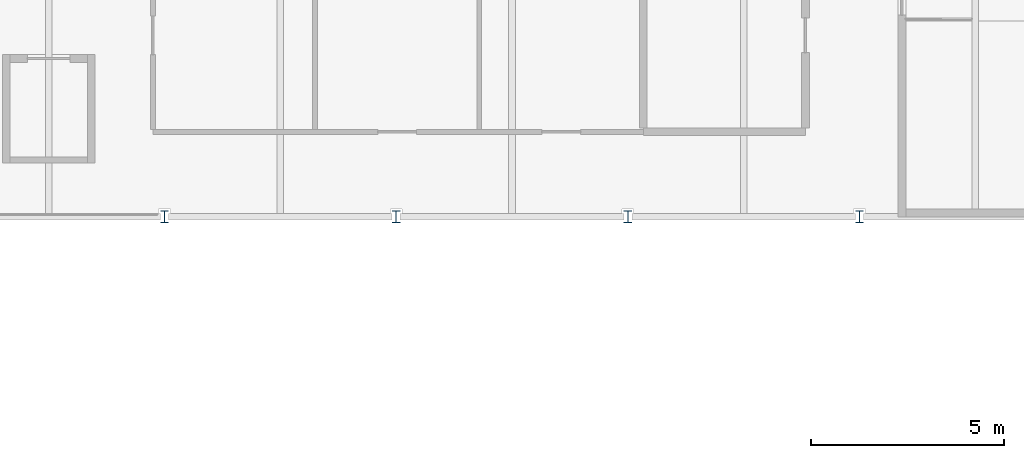
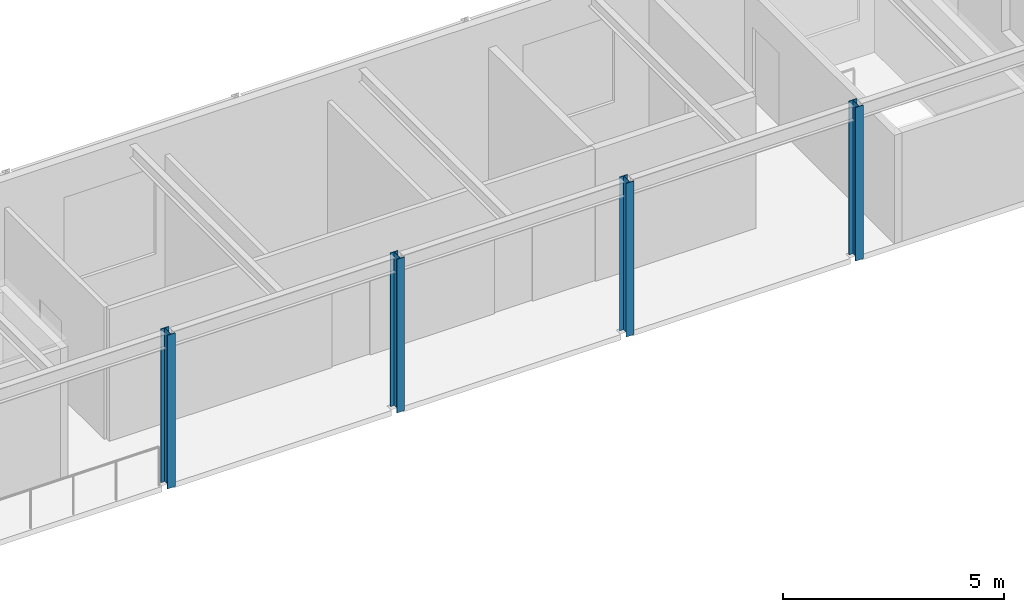
# One storey, part 8 of 169: 4 columns.
"""IFC4 building model written with IfcOpenShell, lengths in metres."""

from ifc_helpers import new_model, si_unit, direction, frame, origin, origin_2d, place, context, subcontext, project, spatial, i_section, extrude, material, material_profile, profile_set, type_object, element, save


model = new_model("IFC4")

# Units and contexts
model_context = context("Model", 3, precision=1e-05, world=origin(), true_north=direction((0.0, 1.0)))
body_context = subcontext(model_context, "Body", "Model", "MODEL_VIEW")
ifc_project = project(units=[si_unit("LENGTHUNIT", "METRE"), si_unit("AREAUNIT", "SQUARE_METRE"), si_unit("VOLUMEUNIT", "CUBIC_METRE"), si_unit("PLANEANGLEUNIT", "RADIAN"), si_unit("MASSUNIT", "GRAM", prefix="KILO")], contexts=[model_context])

# Site, building, storey
site_placement = place(None, origin())
site = spatial("IfcSite", under=ifc_project, at=site_placement, CompositionType="ELEMENT")
building_placement = place(site_placement, origin())
building = spatial("IfcBuilding", under=site, at=building_placement, Name="Verrick Yard Athletic Hall", CompositionType="ELEMENT")
storey_placement = place(building_placement, frame((0.0, 0.0, 4.39990234375)))
storey = spatial("IfcBuildingStorey", under=building, at=storey_placement, Name="L01", CompositionType="ELEMENT", Elevation=4.39990234375)

# Columns
ifc_material = material(Name="Structural steel 350W (CSA G40.21)", Category="steel")
ifc_material_profile = material_profile(ifc_material, i_section(OverallWidth=0.205078125, OverallDepth=0.31005859375, WebThickness=0.009521484375, FlangeThickness=0.016357421875, at=origin_2d()), Name="W310x74")
ifc_profile_set = profile_set([ifc_material_profile], Name="Structural steel 350W (CSA G40.21)")
column_type = type_object("IfcColumnType", Name="HB column W310x74", PredefinedType="COLUMN", material=ifc_profile_set)
for number, where, z_axis, x_axis, name in (
    (1, (52.0, 100.800048828125, 0.0), (0.0, 0.0, 1.0), (1.0, 0.0, 0.0), "HB-C-B-B4S-L01"),
    (2, (58.0, 100.800048828125, 0.0), (0.0, 0.0, 1.0), (1.0, 0.0, 0.0), "HB-C-B-B5S-L01"),
    (3, (64.0, 100.800048828125, 0.0), (0.0, 0.0, 1.0), (1.0, 0.0, 0.0), "HB-C-B-B6S-L01"),
    (4, (70.0, 100.800048828125, 0.0), (0.0, 0.0, 1.0), (1.0, 0.0, 0.0), "HB-C-B-B7S-L01"),
):
    element("IfcColumn", number, at=place(storey_placement, frame(where, z_axis=z_axis, x_axis=x_axis)), inside=storey, type_object=column_type, Name=name, PredefinedType="COLUMN", context=body_context, shape_type="SweptSolid", body=[
        extrude(i_section(OverallWidth=0.205078125, OverallDepth=0.31005859375, WebThickness=0.009521484375, FlangeThickness=0.016357421875, at=origin_2d()), origin(), (0.0, 0.0, 1.0), 4.25),
    ])

save(model, "model.ifc")
